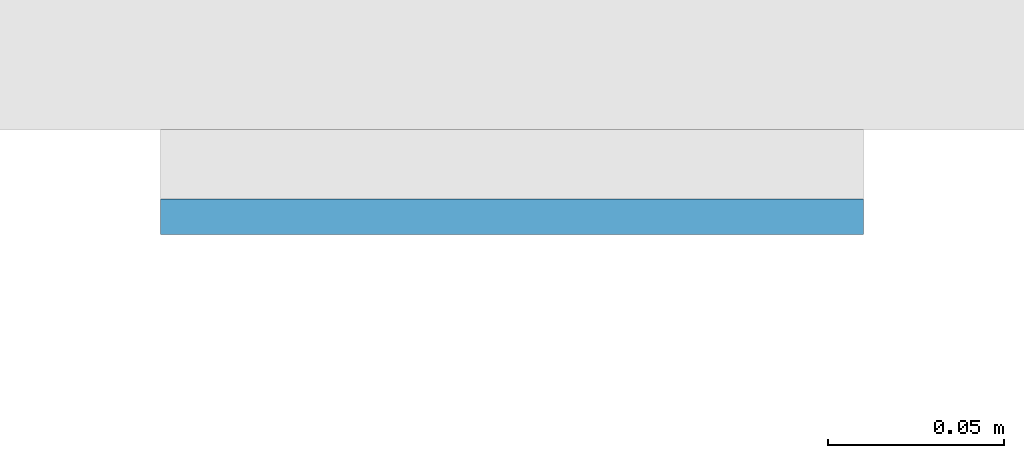
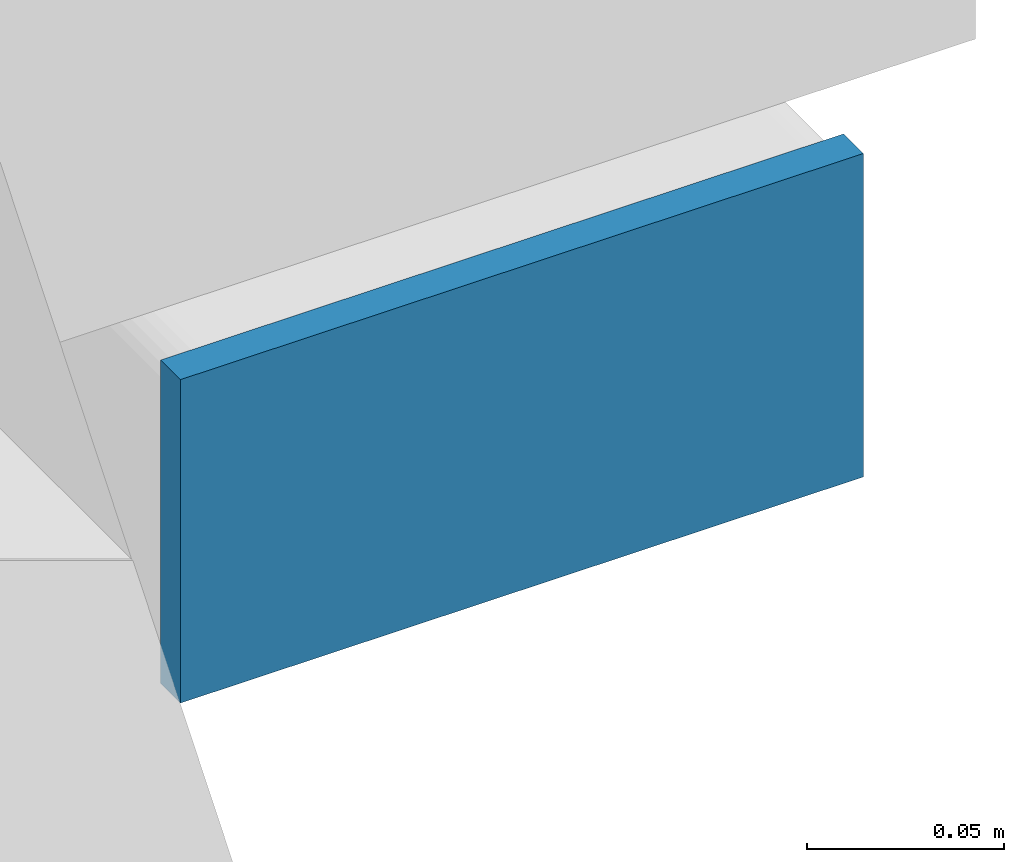
# One storey, part 10 of 21: 1 plate.
"""IFC4 building model written with IfcOpenShell, lengths in metres."""

import ifcopenshell
import ifcopenshell.guid

model = None  # the IFC model being written
_history = None  # IfcOwnerHistory: only IFC2X3 demands one
_inside = {}  # id of a spatial element -> (the spatial element, [elements in it])
_under = {}  # id of a project, library or spatial element -> (it, [spatial elements below it])
_declared = {}  # id of a project -> (the project, [libraries it declares])
_typed = {}  # id of a type object -> (the type object, [elements of that type])
_made_of = {}  # id of a material, layer set ... -> (it, [elements and type objects made of it])


def new_model(schema):
    """Start an empty IFC model of exactly this schema.

    Asked for "IFC4X3", IfcOpenShell would pick the latest addendum, in which some entities
    have other attributes; the version numbers below select the first issue.
    IFC2X3 requires an IfcOwnerHistory on every rooted entity: one is made here for all.
    """
    global model, _history
    if schema == "IFC4X3":
        model = ifcopenshell.file(schema_version=(4, 3, 0, 0))
    else:
        model = ifcopenshell.file(schema=schema)
    _inside.clear()
    _under.clear()
    _declared.clear()
    _typed.clear()
    _made_of.clear()
    _history = None
    if model.schema == "IFC2X3":
        org = make("IfcOrganization", Name="unknown")
        user = make(
            "IfcPersonAndOrganization",
            ThePerson=make("IfcPerson", FamilyName="unknown"),
            TheOrganization=org,
        )
        app = make(
            "IfcApplication",
            ApplicationDeveloper=org,
            Version="unknown",
            ApplicationFullName="unknown",
            ApplicationIdentifier="unknown",
        )
        _history = make(
            "IfcOwnerHistory",
            OwningUser=user,
            OwningApplication=app,
            ChangeAction="ADDED",
            CreationDate=0,
        )
    return model


def make(cls, **values):
    """One entity of the class cls with the attributes given. An attribute that is None is left unset."""
    return model.create_entity(
        cls, **{name: value for name, value in values.items() if value is not None}
    )


def rooted(cls, **values):
    """An entity with a GlobalId (a new one), such as an element, a storey or a relation."""
    return make(cls, GlobalId=ifcopenshell.guid.new(), OwnerHistory=_history, **values)


def si_unit(unit_type, name, prefix=None):
    """IfcSIUnit, for example si_unit("LENGTHUNIT", "METRE", prefix="MILLI")."""
    return make("IfcSIUnit", UnitType=unit_type, Prefix=prefix, Name=name)


def assignment(units):
    """IfcUnitAssignment: the units of a project."""
    return None if units is None else make("IfcUnitAssignment", Units=units)


def point(xyz):
    """IfcCartesianPoint."""
    return None if xyz is None else make("IfcCartesianPoint", Coordinates=xyz)


def direction(xyz):
    """IfcDirection."""
    return None if xyz is None else make("IfcDirection", DirectionRatios=xyz)


def frame(location, z_axis=None, x_axis=None):
    """IfcAxis2Placement3D, a coordinate frame: its origin and axes. An axis left out is left unset."""
    return make(
        "IfcAxis2Placement3D",
        Location=point(location),
        Axis=direction(z_axis),
        RefDirection=direction(x_axis),
    )


def frame_2d(location, x_axis=None):
    """IfcAxis2Placement2D, a coordinate frame in the plane: its origin and x axis."""
    return make(
        "IfcAxis2Placement2D", Location=point(location), RefDirection=direction(x_axis)
    )


def origin():
    """The frame at (0, 0, 0) with its axes left unset."""
    return frame((0.0, 0.0, 0.0))


def origin_2d():
    """The frame at (0, 0) in the plane with its x axis left unset."""
    return frame_2d((0.0, 0.0))


def place(relative_to, where):
    """IfcLocalPlacement: puts the frame where relative to a parent placement (None: the world)."""
    return make(
        "IfcLocalPlacement", PlacementRelTo=relative_to, RelativePlacement=where
    )


def context(
    kind, dimensions, precision=None, world=None, true_north=None, identifier=None
):
    """IfcGeometricRepresentationContext, for example the 3D "Model" context."""
    return make(
        "IfcGeometricRepresentationContext",
        ContextIdentifier=identifier,
        ContextType=kind,
        CoordinateSpaceDimension=dimensions,
        Precision=precision,
        WorldCoordinateSystem=world,
        TrueNorth=true_north,
    )


def subcontext(parent, identifier, kind, view, scale=None):
    """IfcGeometricRepresentationSubContext, for example "Body" below "Model"."""
    return make(
        "IfcGeometricRepresentationSubContext",
        ContextIdentifier=identifier,
        ContextType=kind,
        ParentContext=parent,
        TargetScale=scale,
        TargetView=view,
    )


def project(units=None, contexts=None):
    """IfcProject with its units and contexts."""
    return rooted(
        "IfcProject",
        Name="project",
        RepresentationContexts=contexts,
        UnitsInContext=assignment(units),
    )


def spatial(cls, under=None, at=None, **own):
    """A site, building, storey or space (cls), placed at a placement, below another one or the project."""
    s = rooted(cls, ObjectPlacement=at, **own)
    if under is not None:
        _under.setdefault(under.id(), (under, []))[1].append(s)
    return s


def profile(cls, at=None, kind="AREA", **sizes):
    """A parametric profile (cls). Its sizes go by their IFC names, for example OverallWidth=200.0."""
    return make(cls, ProfileType=kind, Position=at, **sizes)


def rectangle(**sizes):
    """IfcRectangleProfileDef."""
    return profile("IfcRectangleProfileDef", **sizes)


def extrude(swept, where, along, depth):
    """IfcExtrudedAreaSolid: the profile swept, set in the frame where, extruded along a direction by depth."""
    return make(
        "IfcExtrudedAreaSolid",
        SweptArea=swept,
        Position=where,
        ExtrudedDirection=direction(along),
        Depth=depth,
    )


def shape(context_of_items, identifier, shape_type, items):
    """IfcShapeRepresentation: the items that make up one representation, for example the "Body"."""
    return make(
        "IfcShapeRepresentation",
        ContextOfItems=context_of_items,
        RepresentationIdentifier=identifier,
        RepresentationType=shape_type,
        Items=items,
    )


def material(Name=None, Category=None):
    """IfcMaterial."""
    return make("IfcMaterial", Name=Name, Category=Category)


def layer(
    of_material, thickness, ventilated=None, Name=None, Category=None, Priority=None
):
    """IfcMaterialLayer: one layer of a wall or slab, of a material (None: an air gap)."""
    return make(
        "IfcMaterialLayer",
        Material=of_material,
        LayerThickness=thickness,
        IsVentilated=ventilated,
        Name=Name,
        Category=Category,
        Priority=Priority,
    )


def layer_set(layers, Name=None):
    """IfcMaterialLayerSet."""
    return make("IfcMaterialLayerSet", MaterialLayers=layers, LayerSetName=Name)


def made_of(thing, what):
    """Note that an element or type object is made of a material, layer set ...; save() writes the relation."""
    if what is not None:
        _made_of.setdefault(what.id(), (what, []))[1].append(thing)
    return thing


def type_object(cls, material=None, **own):
    """A type object (cls), such as IfcWallType, which elements share."""
    return made_of(rooted(cls, **own), material)


def element(
    cls,
    number,
    at=None,
    inside=None,
    cuts=None,
    type_object=None,
    material=None,
    context=None,
    identifier="Body",
    shape_type=None,
    held_by="IfcProductDefinitionShape",
    body=None,
    shapes=None,
    **own,
):
    """One element of the class cls, such as IfcWall. Its Tag is "e" and its number.

    at: its placement. inside: the storey or other place that contains it. cuts: it is an
    opening in that element (IfcRelVoidsElement). A single representation is given by context,
    identifier, shape_type and body (its items); several are given by shapes. held_by: the class
    of the entity that holds the representations. save() writes the other relations.
    """
    e = rooted(cls, Tag="e%d" % number, ObjectPlacement=at, **own)
    if body is not None:
        shapes = [shape(context, identifier, shape_type, body)]
    if shapes is not None:
        e.Representation = make(held_by, Representations=shapes)
    if inside is not None:
        _inside.setdefault(inside.id(), (inside, []))[1].append(e)
    if cuts is not None:
        rooted(
            "IfcRelVoidsElement", RelatingBuildingElement=cuts, RelatedOpeningElement=e
        )
    if type_object is not None:
        _typed.setdefault(type_object.id(), (type_object, []))[1].append(e)
    return made_of(e, material)


def aggregate(whole, parts):
    """IfcRelAggregates: a whole, such as a stair, and the parts it consists of."""
    return rooted("IfcRelAggregates", RelatingObject=whole, RelatedObjects=parts)


def save(model, path):
    """Write the relations noted so far, then the file.

    IfcRelAggregates (storeys below a building ...), IfcRelContainedInSpatialStructure (elements
    in a storey), IfcRelDefinesByType, IfcRelAssociatesMaterial and IfcRelDeclares: one each for
    every whole, place, type object, material and project.
    """
    for whole, parts in _under.values():
        aggregate(whole, parts)
    for where, things in _inside.values():
        rooted(
            "IfcRelContainedInSpatialStructure",
            RelatedElements=things,
            RelatingStructure=where,
        )
    for kind, things in _typed.values():
        rooted("IfcRelDefinesByType", RelatedObjects=things, RelatingType=kind)
    for what, things in _made_of.values():
        rooted("IfcRelAssociatesMaterial", RelatedObjects=things, RelatingMaterial=what)
    for by, libraries in _declared.values():
        rooted("IfcRelDeclares", RelatingContext=by, RelatedDefinitions=libraries)
    model.write(path)


model = new_model("IFC4")

# Units and contexts
model_context = context("Model", 3, precision=1e-05, world=origin(), true_north=direction((0.0, 1.0)))
body_context = subcontext(model_context, "Body", "Model", "MODEL_VIEW")
ifc_project = project(units=[si_unit("LENGTHUNIT", "METRE"), si_unit("AREAUNIT", "SQUARE_METRE"), si_unit("VOLUMEUNIT", "CUBIC_METRE"), si_unit("PLANEANGLEUNIT", "RADIAN"), si_unit("MASSUNIT", "GRAM", prefix="KILO")], contexts=[model_context])

# Site, building, storey
site_placement = place(None, origin())
site = spatial("IfcSite", under=ifc_project, at=site_placement, CompositionType="ELEMENT")
building_placement = place(site_placement, origin())
building = spatial("IfcBuilding", under=site, at=building_placement, Name="Cleftline Residences", CompositionType="ELEMENT")
storey_placement = place(building_placement, frame((0.0, 0.0, 58.39990234375)))
storey = spatial("IfcBuildingStorey", under=building, at=storey_placement, Name="L14", CompositionType="ELEMENT", Elevation=58.39990234375)

# Plate
ifc_material = material(Name="Steel S355, hot-dip galvanised", Category="steel")
ifc_layer = layer(ifc_material, 0.010009765625)
ifc_layer_set = layer_set([ifc_layer], Name="BAGUETTE CARRIER END PLATE 200X100X10")
plate_type = type_object("IfcPlateType", Name="BAGUETTE CARRIER END PLATE 200X100X10", PredefinedType="USERDEFINED", material=ifc_layer_set)
plate_placement = place(storey_placement, frame((66.85009765625, 3.695068359375, -0.099853515625), z_axis=(0.0, 0.0, 1.0), x_axis=(1.0, 0.0, 0.0)))
element("IfcPlate", 1, at=plate_placement, inside=storey, type_object=plate_type, Name="Baguette carrier end plate", ObjectType="BAGUETTE CARRIER END PLATE", PredefinedType="USERDEFINED", context=body_context, shape_type="SweptSolid", body=[
    extrude(rectangle(XDim=0.199951171875, YDim=0.010009765625, at=origin_2d()), origin(), (0.0, 0.0, 1.0), 0.10009765625),
])

save(model, "model.ifc")
